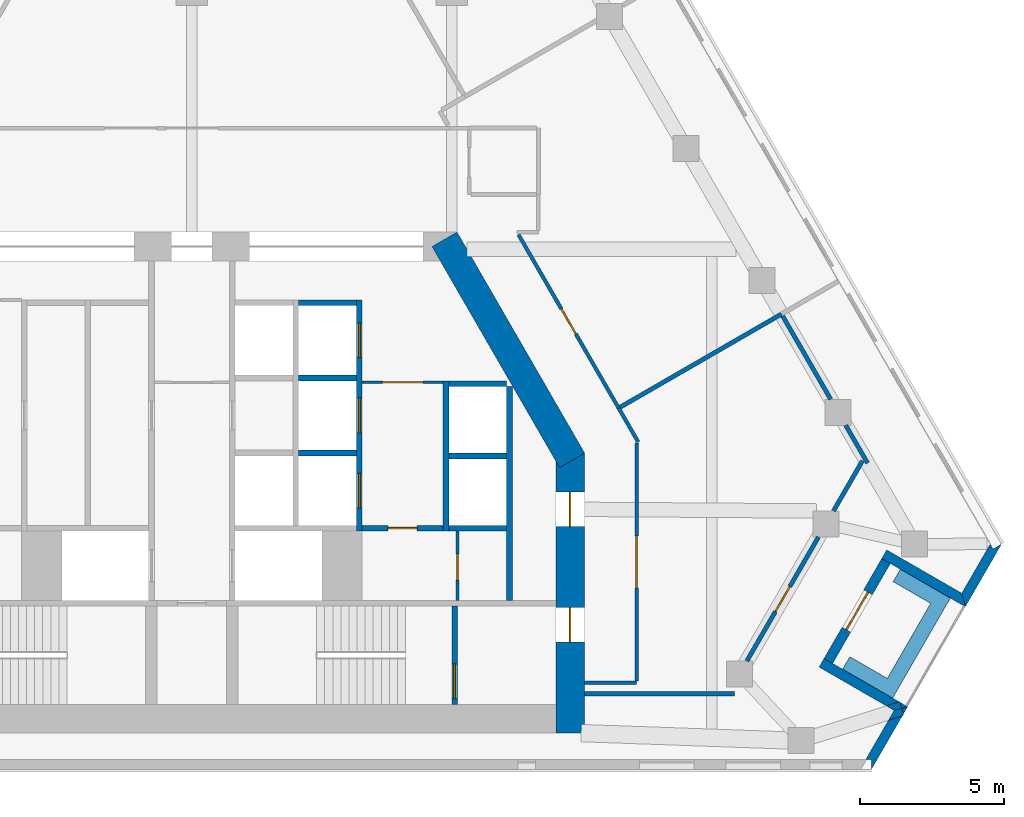
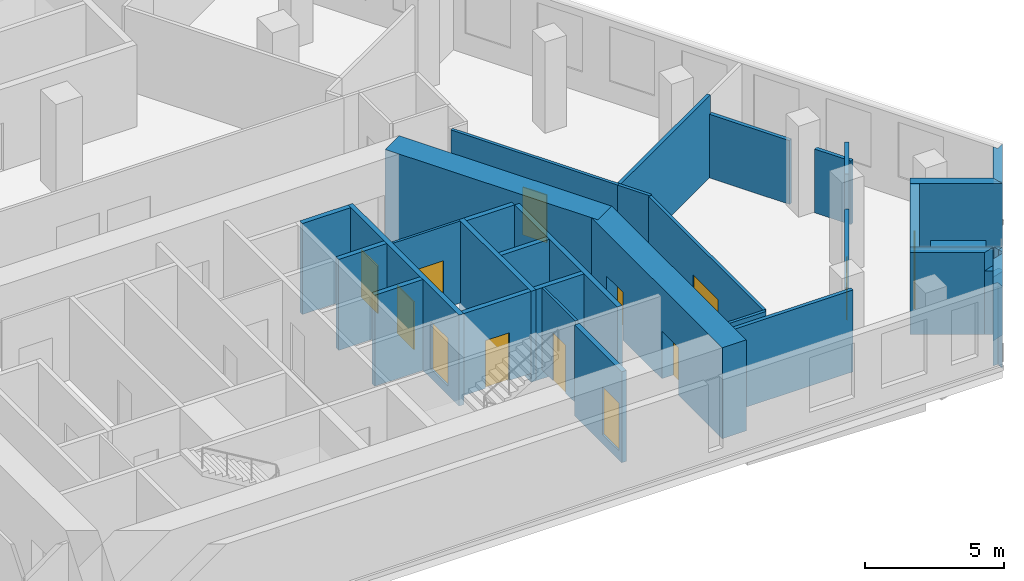
# One storey, part 6 of 9: 35 walls, 13 doors, 13 openings.
"""IFC4 building model written with IfcOpenShell, lengths in metres."""

from ifc_helpers import new_model, si_unit, direction, frame, frame_2d, origin, place, context, subcontext, project, spatial, polyline, rectangle, outline, extrude, material, layer, layer_set, type_object, element, fill, save


model = new_model("IFC4")

# Units and contexts
model_context = context("Model", 3, precision=1e-05, world=origin(), true_north=direction((0.0, 1.0)))
body_context = subcontext(model_context, "Body", "Model", "MODEL_VIEW")
ifc_project = project(units=[si_unit("LENGTHUNIT", "METRE"), si_unit("AREAUNIT", "SQUARE_METRE"), si_unit("VOLUMEUNIT", "CUBIC_METRE"), si_unit("PLANEANGLEUNIT", "RADIAN"), si_unit("MASSUNIT", "GRAM", prefix="KILO")], contexts=[model_context])

# Site, building, storey
site_placement = place(None, origin())
site = spatial("IfcSite", under=ifc_project, at=site_placement, CompositionType="ELEMENT")
building_placement = place(site_placement, origin())
building = spatial("IfcBuilding", under=site, at=building_placement, Name="Fogline Exchange Tower", CompositionType="ELEMENT")
storey_placement = place(building_placement, frame((0.0, 0.0, 190.10009765625)))
storey = spatial("IfcBuildingStorey", under=building, at=storey_placement, Name="L42", CompositionType="ELEMENT", Elevation=190.10009765625)

# Wall, opening, door
ifc_material_1 = material(Name="Blockwork partition", Category="masonry")
ifc_layer_1 = layer(ifc_material_1, 0.10009765625)
ifc_layer_set_1 = layer_set([ifc_layer_1], Name="CW10")
wall_type_1 = type_object("IfcWallType", Name="CW10", PredefinedType="PARTITIONING", material=ifc_layer_set_1)
wall_1_placement = place(storey_placement, frame((5.89990234375, 13.39990234375, 0.0), z_axis=(0.0, 0.0, 1.0), x_axis=(1.0, 0.0, 0.0)))
wall_1 = element("IfcWall", 1, at=wall_1_placement, inside=storey, type_object=wall_type_1, Name="Lift lobby partition", PredefinedType="PARTITIONING", context=body_context, shape_type="SweptSolid", body=[
    extrude(rectangle(XDim=2.800048828125, YDim=0.10009765625, at=frame_2d((1.39990234375, 0.0))), origin(), (0.0, 0.0, 1.0), 3.599853515625),
])
opening_1_placement = place(wall_1_placement, frame((0.699951171875, 0.0, 0.0)))
opening_1 = element("IfcOpeningElement", 2, at=opening_1_placement, cuts=wall_1, Name="Opening T13-C012", PredefinedType="OPENING", context=body_context, shape_type="SweptSolid", body=[
    extrude(rectangle(XDim=1.39990234375, YDim=2.10009765625, at=frame_2d((0.699951171875, 1.050048828125))), frame((0.0, 0.06005859375, 0.0), z_axis=(0.0, -1.0, 0.0), x_axis=(1.0, 0.0, 0.0)), (0.0, 0.0, 1.0), 0.1201171875),
])
ifc_material_2 = material(Name="Steel and timber fire door", Category="steel")
door_type_1 = type_object("IfcDoorType", Name="D-LB1", OperationType="DOUBLE_DOOR_SINGLE_SWING", PredefinedType="DOOR", material=ifc_material_2)
door_1_placement = place(opening_1_placement, frame((1.39990234375, 0.0, 0.0), z_axis=(0.0, 0.0, 1.0), x_axis=(-1.0, 0.0, 0.0)))
door_1 = element("IfcDoor", 3, at=door_1_placement, inside=storey, type_object=door_type_1, Name="Door to lift lobby", OperationType="DOUBLE_DOOR_SINGLE_SWING", OverallHeight=2.10009765625, OverallWidth=1.39990234375, PredefinedType="DOOR", context=body_context, shape_type="SweptSolid", body=[
    extrude(rectangle(XDim=1.39990234375, YDim=2.10009765625, at=frame_2d((0.699951171875, 1.050048828125))), frame((0.0, 0.02490234375, 0.0), z_axis=(0.0, -1.0, 0.0), x_axis=(1.0, 0.0, 0.0)), (0.0, 0.0, 1.0), 0.050048828125),
])
fill(opening_1, door_1)

wall_2_placement = place(storey_placement, frame((9.199951171875, 5.85009765625, 0.0), z_axis=(0.0, 0.0, 1.0), x_axis=(0.0, 1.0, 0.0)))
wall_2 = element("IfcWall", 4, at=wall_2_placement, inside=storey, type_object=wall_type_1, Name="WC partition", PredefinedType="PARTITIONING", context=body_context, shape_type="SweptSolid", body=[
    extrude(rectangle(XDim=2.39990234375, YDim=0.10009765625, at=frame_2d((1.199951171875, 0.0))), origin(), (0.0, 0.0, 1.0), 3.599853515625),
])
opening_2_placement = place(wall_2_placement, frame((0.699951171875, 0.0, 0.0)))
opening_2 = element("IfcOpeningElement", 5, at=opening_2_placement, cuts=wall_2, Name="Opening T13-C014", PredefinedType="OPENING", context=body_context, shape_type="SweptSolid", body=[
    extrude(rectangle(XDim=0.89990234375, YDim=2.10009765625, at=frame_2d((0.449951171875, 1.050048828125))), frame((0.0, 0.06005859375, 0.0), z_axis=(0.0, -1.0, 0.0), x_axis=(1.0, 0.0, 0.0)), (0.0, 0.0, 1.0), 0.1201171875),
])
door_type_2 = type_object("IfcDoorType", Name="D-CS1", OperationType="SINGLE_SWING_RIGHT", PredefinedType="DOOR", material=ifc_material_2)
door_2_placement = place(opening_2_placement, frame((0.89990234375, 0.0, 0.0), z_axis=(0.0, 0.0, 1.0), x_axis=(-1.0, 0.0, 0.0)))
door_2 = element("IfcDoor", 6, at=door_2_placement, inside=storey, type_object=door_type_2, Name="Door to Cleaner's Store", OperationType="SINGLE_SWING_RIGHT", OverallHeight=2.10009765625, OverallWidth=0.89990234375, PredefinedType="DOOR", context=body_context, shape_type="SweptSolid", body=[
    extrude(rectangle(XDim=0.89990234375, YDim=2.10009765625, at=frame_2d((0.449951171875, 1.050048828125))), frame((0.0, 0.02490234375, 0.0), z_axis=(0.0, -1.0, 0.0), x_axis=(1.0, 0.0, 0.0)), (0.0, 0.0, 1.0), 0.050048828125),
])
fill(opening_2, door_2)

# Wall
ifc_material_3 = material(Name="Concrete C40", Category="concrete")
ifc_layer_2 = layer(ifc_material_3, 0.199951171875)
ifc_layer_set_2 = layer_set([ifc_layer_2], Name="CW20")
wall_type_2 = type_object("IfcWallType", Name="CW20", PredefinedType="SOLIDWALL", material=ifc_layer_set_2)
wall_3_placement = place(storey_placement, frame((11.0, 5.85009765625, 0.0), z_axis=(0.0, 0.0, 1.0), x_axis=(0.0, 1.0, 0.0)))
element("IfcWall", 7, at=wall_3_placement, inside=storey, type_object=wall_type_2, Name="Service room wall", PredefinedType="SOLIDWALL", context=body_context, shape_type="SweptSolid", body=[
    extrude(rectangle(XDim=7.39990234375, YDim=0.199951171875, at=frame_2d((3.699951171875, 0.0))), origin(), (0.0, 0.0, 1.0), 3.599853515625),
])

# Wall, opening, door
wall_4_placement = place(storey_placement, frame((5.89990234375, 8.35009765625, 0.0), z_axis=(0.0, 0.0, 1.0), x_axis=(1.0, 0.0, 0.0)))
wall_4 = element("IfcWall", 8, at=wall_4_placement, inside=storey, type_object=wall_type_2, Name="WC wall", PredefinedType="SOLIDWALL", context=body_context, shape_type="SweptSolid", body=[
    extrude(rectangle(XDim=2.800048828125, YDim=0.199951171875, at=frame_2d((1.39990234375, 0.0))), origin(), (0.0, 0.0, 1.0), 3.599853515625),
])
opening_3_placement = place(wall_4_placement, frame((0.89990234375, 0.0, 0.0)))
opening_3 = element("IfcOpeningElement", 9, at=opening_3_placement, cuts=wall_4, Name="Opening T13-C013", PredefinedType="OPENING", context=body_context, shape_type="SweptSolid", body=[
    extrude(rectangle(XDim=1.0, YDim=2.10009765625, at=frame_2d((0.5, 1.050048828125))), frame((0.0, 0.10986328125, 0.0), z_axis=(0.0, -1.0, 0.0), x_axis=(1.0, 0.0, 0.0)), (0.0, 0.0, 1.0), 0.219970703125),
])
door_type_3 = type_object("IfcDoorType", Name="D-WC1", OperationType="SINGLE_SWING_LEFT", PredefinedType="DOOR", material=ifc_material_2)
door_3_placement = place(opening_3_placement, frame((1.0, 0.0, 0.0), z_axis=(0.0, 0.0, 1.0), x_axis=(-1.0, 0.0, 0.0)))
door_3 = element("IfcDoor", 10, at=door_3_placement, inside=storey, type_object=door_type_3, Name="Door to Women's WC", OperationType="SINGLE_SWING_LEFT", OverallHeight=2.10009765625, OverallWidth=1.0, PredefinedType="DOOR", context=body_context, shape_type="SweptSolid", body=[
    extrude(rectangle(XDim=1.0, YDim=2.10009765625, at=frame_2d((0.5, 1.050048828125))), frame((0.0, 0.02490234375, 0.0), z_axis=(0.0, -1.0, 0.0), x_axis=(1.0, 0.0, 0.0)), (0.0, 0.0, 1.0), 0.050048828125),
])
fill(opening_3, door_3)

ifc_layer_3 = layer(ifc_material_3, 0.199951171875)
ifc_layer_set_3 = layer_set([ifc_layer_3], Name="CW20R")
wall_type_3 = type_object("IfcWallType", Name="CW20R", PredefinedType="SOLIDWALL", material=ifc_layer_set_3)
wall_5_placement = place(storey_placement, frame((9.10009765625, 2.25, -0.400146484375), z_axis=(0.0, 0.0, 1.0), x_axis=(0.0, 1.0, 0.0)))
wall_5 = element("IfcWall", 11, at=wall_5_placement, inside=storey, type_object=wall_type_3, Name="Stair enclosure wall", PredefinedType="SOLIDWALL", context=body_context, shape_type="SweptSolid", body=[
    extrude(rectangle(XDim=3.39990234375, YDim=0.199951171875, at=frame_2d((1.699951171875, 0.0))), origin(), (0.0, 0.0, 1.0), 4.0),
])
opening_4_placement = place(wall_5_placement, frame((0.199951171875, 0.0, 0.39990234375)))
opening_4 = element("IfcOpeningElement", 12, at=opening_4_placement, cuts=wall_5, Name="Opening T13-C016", PredefinedType="OPENING", context=body_context, shape_type="SweptSolid", body=[
    extrude(rectangle(XDim=1.199951171875, YDim=2.10009765625, at=frame_2d((0.60009765625, 1.050048828125))), frame((0.0, 0.10986328125, 0.0), z_axis=(0.0, -1.0, 0.0), x_axis=(1.0, 0.0, 0.0)), (0.0, 0.0, 1.0), 0.219970703125),
])
door_type_4 = type_object("IfcDoorType", Name="D-ST1", OperationType="SINGLE_SWING_LEFT", PredefinedType="DOOR", material=ifc_material_2)
door_4_placement = place(opening_4_placement, origin())
door_4 = element("IfcDoor", 13, at=door_4_placement, inside=storey, type_object=door_type_4, Name="Stair door ST2", OperationType="SINGLE_SWING_LEFT", OverallHeight=2.10009765625, OverallWidth=1.199951171875, PredefinedType="DOOR", context=body_context, shape_type="SweptSolid", body=[
    extrude(rectangle(XDim=1.199951171875, YDim=2.10009765625, at=frame_2d((0.60009765625, 1.050048828125))), frame((0.0, 0.02490234375, 0.0), z_axis=(0.0, -1.0, 0.0), x_axis=(1.0, 0.0, 0.0)), (0.0, 0.0, 1.0), 0.050048828125),
])
fill(opening_4, door_4)

# Wall
ifc_layer_4 = layer(ifc_material_3, 0.199951171875)
ifc_layer_set_4 = layer_set([ifc_layer_4], Name="CW20S")
wall_type_4 = type_object("IfcWallType", Name="CW20S", PredefinedType="SOLIDWALL", material=ifc_layer_set_4)
wall_6_placement = place(storey_placement, frame((8.800048828125, 8.25, -0.400146484375), z_axis=(0.0, 0.0, 1.0), x_axis=(0.0, 1.0, 0.0)))
element("IfcWall", 14, at=wall_6_placement, inside=storey, type_object=wall_type_4, Name="Lift shaft wall", PredefinedType="SOLIDWALL", context=body_context, shape_type="SweptSolid", body=[
    extrude(rectangle(XDim=5.199951171875, YDim=0.199951171875, at=frame_2d((2.60009765625, 0.0))), origin(), (0.0, 0.0, 1.0), 4.0),
])

# Wall, openings, doors
wall_7_placement = place(storey_placement, frame((5.800048828125, 8.25, -0.400146484375), z_axis=(0.0, 0.0, 1.0), x_axis=(0.0, 1.0, 0.0)))
wall_7 = element("IfcWall", 15, at=wall_7_placement, inside=storey, type_object=wall_type_4, Name="Lift shaft wall", PredefinedType="SOLIDWALL", context=body_context, shape_type="SweptSolid", body=[
    extrude(rectangle(XDim=8.0, YDim=0.199951171875, at=frame_2d((4.0, 0.0))), origin(), (0.0, 0.0, 1.0), 4.0),
])
opening_5_placement = place(wall_7_placement, frame((0.800048828125, 0.0, 0.39990234375)))
opening_5 = element("IfcOpeningElement", 16, at=opening_5_placement, cuts=wall_7, Name="Opening T13-LD02", PredefinedType="OPENING", context=body_context, shape_type="SweptSolid", body=[
    extrude(rectangle(XDim=1.199951171875, YDim=2.10009765625, at=frame_2d((0.60009765625, 1.050048828125))), frame((0.0, 0.10986328125, 0.0), z_axis=(0.0, -1.0, 0.0), x_axis=(1.0, 0.0, 0.0)), (0.0, 0.0, 1.0), 0.219970703125),
])
opening_6_placement = place(wall_7_placement, frame((3.39990234375, 0.0, 0.39990234375)))
opening_6 = element("IfcOpeningElement", 17, at=opening_6_placement, cuts=wall_7, Name="Opening T13-LD03", PredefinedType="OPENING", context=body_context, shape_type="SweptSolid", body=[
    extrude(rectangle(XDim=1.199951171875, YDim=2.10009765625, at=frame_2d((0.60009765625, 1.050048828125))), frame((0.0, 0.10986328125, 0.0), z_axis=(0.0, -1.0, 0.0), x_axis=(1.0, 0.0, 0.0)), (0.0, 0.0, 1.0), 0.219970703125),
])
opening_7_placement = place(wall_7_placement, frame((6.0, 0.0, 0.39990234375)))
opening_7 = element("IfcOpeningElement", 18, at=opening_7_placement, cuts=wall_7, Name="Opening T13-LD04", PredefinedType="OPENING", context=body_context, shape_type="SweptSolid", body=[
    extrude(rectangle(XDim=1.199951171875, YDim=2.10009765625, at=frame_2d((0.60009765625, 1.050048828125))), frame((0.0, 0.10986328125, 0.0), z_axis=(0.0, -1.0, 0.0), x_axis=(1.0, 0.0, 0.0)), (0.0, 0.0, 1.0), 0.219970703125),
])
door_type_5 = type_object("IfcDoorType", Name="LD1", OperationType="SLIDING_TO_LEFT", PredefinedType="DOOR", material=ifc_material_2)
door_5_placement = place(opening_5_placement, origin())
door_5 = element("IfcDoor", 19, at=door_5_placement, inside=storey, type_object=door_type_5, Name="Landing door MR1", OperationType="SLIDING_TO_LEFT", OverallHeight=2.10009765625, OverallWidth=1.199951171875, PredefinedType="DOOR", context=body_context, shape_type="SweptSolid", body=[
    extrude(rectangle(XDim=1.199951171875, YDim=2.10009765625, at=frame_2d((0.60009765625, 1.050048828125))), frame((0.0, 0.02490234375, 0.0), z_axis=(0.0, -1.0, 0.0), x_axis=(1.0, 0.0, 0.0)), (0.0, 0.0, 1.0), 0.050048828125),
])
fill(opening_5, door_5)
door_6_placement = place(opening_6_placement, origin())
door_6 = element("IfcDoor", 20, at=door_6_placement, inside=storey, type_object=door_type_5, Name="Landing door MR2", OperationType="SLIDING_TO_LEFT", OverallHeight=2.10009765625, OverallWidth=1.199951171875, PredefinedType="DOOR", context=body_context, shape_type="SweptSolid", body=[
    extrude(rectangle(XDim=1.199951171875, YDim=2.10009765625, at=frame_2d((0.60009765625, 1.050048828125))), frame((0.0, 0.02490234375, 0.0), z_axis=(0.0, -1.0, 0.0), x_axis=(1.0, 0.0, 0.0)), (0.0, 0.0, 1.0), 0.050048828125),
])
fill(opening_6, door_6)
door_7_placement = place(opening_7_placement, origin())
door_7 = element("IfcDoor", 21, at=door_7_placement, inside=storey, type_object=door_type_5, Name="Landing door MR3", OperationType="SLIDING_TO_LEFT", OverallHeight=2.10009765625, OverallWidth=1.199951171875, PredefinedType="DOOR", context=body_context, shape_type="SweptSolid", body=[
    extrude(rectangle(XDim=1.199951171875, YDim=2.10009765625, at=frame_2d((0.60009765625, 1.050048828125))), frame((0.0, 0.02490234375, 0.0), z_axis=(0.0, -1.0, 0.0), x_axis=(1.0, 0.0, 0.0)), (0.0, 0.0, 1.0), 0.050048828125),
])
fill(opening_7, door_7)

# Walls
for number, where, z_axis, x_axis, name in (
    (22, (8.89990234375, 8.35009765625, -0.400146484375), (0.0, 0.0, 1.0), (1.0, 0.0, 0.0), "Lift shaft wall"),
    (23, (8.89990234375, 10.85009765625, -0.400146484375), (0.0, 0.0, 1.0), (1.0, 0.0, 0.0), "Lift shaft wall"),
    (24, (8.89990234375, 13.35009765625, -0.400146484375), (0.0, 0.0, 1.0), (1.0, 0.0, 0.0), "Lift shaft wall"),
    (25, (3.699951171875, 10.949951171875, -0.400146484375), (0.0, 0.0, 1.0), (1.0, 0.0, 0.0), "Lift shaft wall"),
    (26, (3.699951171875, 13.550048828125, -0.400146484375), (0.0, 0.0, 1.0), (1.0, 0.0, 0.0), "Lift shaft wall"),
    (27, (3.699951171875, 16.14990234375, -0.400146484375), (0.0, 0.0, 1.0), (1.0, 0.0, 0.0), "Lift shaft wall"),
):
    element("IfcWall", number, at=place(storey_placement, frame(where, z_axis=z_axis, x_axis=x_axis)), inside=storey, type_object=wall_type_4, Name=name, PredefinedType="SOLIDWALL", context=body_context, shape_type="SweptSolid", body=[
        extrude(rectangle(XDim=2.0, YDim=0.199951171875, at=frame_2d((1.0, 0.0))), origin(), (0.0, 0.0, 1.0), 4.0),
    ])
ifc_material_4 = material(Name="Brick masonry", Category="masonry")
ifc_layer_5 = layer(ifc_material_4, 0.340087890625)
ifc_layer_set_5 = layer_set([ifc_layer_5], Name="FW1")
wall_type_5 = type_object("IfcWallType", Name="FW1", PredefinedType="SOLIDWALL", material=ifc_layer_set_5)
wall_8_placement = place(storey_placement, origin())
element("IfcWall", 28, at=wall_8_placement, inside=storey, type_object=wall_type_5, Name="Brick wall L42 SE-c1", PredefinedType="SOLIDWALL", context=body_context, shape_type="SweptSolid", body=[
    extrude(outline(polyline([(24.598388671875, 1.846923828125), (24.1162109375, 1.694580078125), (24.31640625, 2.041015625), (24.577880859375, 2.111083984375), (24.63916015625, 1.917724609375), (24.598388671875, 1.846923828125)])), origin(), (0.0, 0.0, 1.0), 2.7998046875),
])
wall_9_placement = place(storey_placement, origin())
element("IfcWall", 29, at=wall_9_placement, inside=storey, type_object=wall_type_5, Name="Brick wall L42 SE-c1", PredefinedType="SOLIDWALL", context=body_context, shape_type="SweptSolid", body=[
    extrude(outline(polyline([(24.63916015625, 1.917724609375), (24.577880859375, 2.111083984375), (24.7822265625, 2.166015625), (24.782470703125, 2.165771484375), (24.63916015625, 1.917724609375)])), origin(), (0.0, 0.0, 1.0), 3.599853515625),
])
wall_10_placement = place(storey_placement, origin())
element("IfcWall", 30, at=wall_10_placement, inside=storey, type_object=wall_type_5, Name="Brick wall L42 SE-c1", PredefinedType="SOLIDWALL", context=body_context, shape_type="SweptSolid", body=[
    extrude(outline(polyline([(23.53125, -0.001220703125), (23.53076171875, -0.0009765625), (23.53076171875, 0.33935546875), (23.333984375, 0.33935546875), (24.1162109375, 1.694580078125), (24.598388671875, 1.846923828125), (23.53125, -0.001220703125)])), origin(), (0.0, 0.0, 1.0), 3.599853515625),
])
wall_11_placement = place(storey_placement, origin())
element("IfcWall", 31, at=wall_11_placement, inside=storey, type_object=wall_type_5, Name="Brick wall L42 SE-s1", PredefinedType="SOLIDWALL", context=body_context, shape_type="SweptSolid", body=[
    extrude(outline(polyline([(24.511474609375, 2.321533203125), (24.578369140625, 2.110107421875), (24.31689453125, 2.0400390625), (24.045654296875, 2.196533203125), (24.486328125, 2.3359375), (24.511474609375, 2.321533203125)])), origin(), (0.0, 0.0, 1.0), 2.7998046875),
])
wall_12_placement = place(storey_placement, origin())
element("IfcWall", 32, at=wall_12_placement, inside=storey, type_object=wall_type_5, Name="Brick wall L42 SE-s1", PredefinedType="SOLIDWALL", context=body_context, shape_type="SweptSolid", body=[
    extrude(outline(polyline([(21.888671875, 3.8359375), (22.18359375, 3.66552734375), (24.486328125, 2.3359375), (24.045654296875, 2.196533203125), (21.718017578125, 3.540283203125), (21.888671875, 3.8359375)])), origin(), (0.0, 0.0, 1.0), 3.599853515625),
])
wall_13_placement = place(storey_placement, origin())
element("IfcWall", 33, at=wall_13_placement, inside=storey, type_object=wall_type_5, Name="Brick wall L42 SE-s1", PredefinedType="SOLIDWALL", context=body_context, shape_type="SweptSolid", body=[
    extrude(outline(polyline([(24.782470703125, 2.1650390625), (24.782470703125, 2.164794921875), (24.578369140625, 2.110107421875), (24.511474609375, 2.321533203125), (24.782470703125, 2.1650390625)])), origin(), (0.0, 0.0, 1.0), 3.599853515625),
])

# Wall, opening, door
wall_14_placement = place(storey_placement, frame((22.035888671875, 3.75, 0.0), z_axis=(0.0, 0.0, 1.0), x_axis=(0.49999894854, 0.866026010844, 0.0)))
wall_14 = element("IfcWall", 34, at=wall_14_placement, inside=storey, type_object=wall_type_5, Name="Brick wall L42 SE-bk", PredefinedType="SOLIDWALL", context=body_context, shape_type="SweptSolid", body=[
    extrude(rectangle(XDim=4.0, YDim=0.340087890625, at=frame_2d((2.0, 0.0))), origin(), (0.0, 0.0, 1.0), 3.599853515625),
])
opening_8_placement = place(wall_14_placement, frame((1.25, 0.0, 0.0)))
opening_8 = element("IfcOpeningElement", 35, at=opening_8_placement, cuts=wall_14, Name="Opening T13-E081", PredefinedType="OPENING", context=body_context, shape_type="SweptSolid", body=[
    extrude(rectangle(XDim=1.5, YDim=2.39990234375, at=frame_2d((0.75, 1.199951171875))), frame((0.0, 0.18017578125, 0.0), z_axis=(0.0, -1.0, 0.0), x_axis=(1.0, 0.0, 0.0)), (0.0, 0.0, 1.0), 0.360107421875),
])
ifc_material_5 = material(Name="Aluminium and glass", Category="aluminium")
door_type_6 = type_object("IfcDoorType", Name="ED4", OperationType="SINGLE_SWING_LEFT", PredefinedType="DOOR", material=ifc_material_5)
door_8_placement = place(opening_8_placement, frame((1.5, 0.0, 0.0), z_axis=(0.0, 0.0, 1.0), x_axis=(-1.0, 0.0, 0.0)))
door_8 = element("IfcDoor", 36, at=door_8_placement, inside=storey, type_object=door_type_6, Name="Balcony door L42 SE", OperationType="DOUBLE_DOOR_SINGLE_SWING", OverallHeight=2.39990234375, OverallWidth=1.5, PredefinedType="DOOR", context=body_context, shape_type="SweptSolid", body=[
    extrude(rectangle(XDim=1.5, YDim=2.39990234375, at=frame_2d((0.75, 1.199951171875))), frame((0.0, 0.02490234375, 0.0), z_axis=(0.0, -1.0, 0.0), x_axis=(1.0, 0.0, 0.0)), (0.0, 0.0, 1.0), 0.050048828125),
])
fill(opening_8, door_8)

# Walls
wall_15_placement = place(storey_placement, origin())
element("IfcWall", 37, at=wall_15_placement, inside=storey, type_object=wall_type_5, Name="Brick wall L42 SE-s2", PredefinedType="SOLIDWALL", context=body_context, shape_type="SweptSolid", body=[
    extrude(outline(polyline([(26.781982421875, 5.628173828125), (24.182861328125, 7.128662109375), (23.887939453125, 7.298828125), (24.05859375, 7.594482421875), (26.657470703125, 6.093994140625), (26.7822265625, 5.62841796875), (26.781982421875, 5.628173828125)])), origin(), (0.0, 0.0, 1.0), 3.599853515625),
])
wall_16_placement = place(storey_placement, origin())
element("IfcWall", 38, at=wall_16_placement, inside=storey, type_object=wall_type_5, Name="Brick wall L42 SE-c2", PredefinedType="SOLIDWALL", context=body_context, shape_type="SweptSolid", body=[
    extrude(outline(polyline([(27.638671875, 7.79541015625), (27.737060546875, 7.625), (28.031982421875, 7.79541015625), (28.032470703125, 7.794921875), (26.78125, 5.6279296875), (26.781005859375, 5.6279296875), (26.65625, 6.09375), (27.638671875, 7.79541015625)])), origin(), (0.0, 0.0, 1.0), 3.599853515625),
])
ifc_material_6 = material(Name="Concrete C30", Category="concrete")
ifc_layer_6 = layer(ifc_material_6, 0.199951171875)
ifc_layer_set_6 = layer_set([ifc_layer_6], Name="PL1")
wall_type_6 = type_object("IfcWallType", Name="PL1", PredefinedType="USERDEFINED", material=ifc_layer_set_6)
wall_17_placement = place(storey_placement, origin())
element("IfcWall", 39, at=wall_17_placement, inside=storey, type_object=wall_type_6, Name="PLANTER balcony L42 SE", ObjectType="PLANTER", PredefinedType="USERDEFINED", context=body_context, shape_type="SweptSolid", body=[
    extrude(outline(polyline([(22.529541015625, 3.465087890625), (23.82861328125, 2.715087890625), (23.82861328125, 2.715087890625), (24.26171875, 2.465087890625), (26.01171875, 5.49609375), (26.26171875, 5.92919921875), (24.529541015625, 6.92919921875), (24.279541015625, 6.49609375), (25.57861328125, 5.74609375), (24.07861328125, 3.148193359375), (22.779541015625, 3.898193359375), (22.529541015625, 3.465087890625)])), origin(), (0.0, 0.0, 1.0), 1.099853515625),
])

# Wall, opening, door
ifc_material_7 = material(Name="Plasterboard corridor partition with mineral wool, 2 layers each side")
ifc_layer_7 = layer(ifc_material_7, 0.125)
ifc_layer_set_7 = layer_set([ifc_layer_7], Name="PW2")
wall_type_7 = type_object("IfcWallType", Name="PW2", PredefinedType="PARTITIONING", material=ifc_layer_set_7)
wall_18_placement = place(storey_placement, frame((11.3134765625, 18.505859375, 0.0), z_axis=(0.0, 0.0, 1.0), x_axis=(0.49999396906, -0.866028885721, 0.0)))
wall_18 = element("IfcWall", 40, at=wall_18_placement, inside=storey, type_object=wall_type_7, Name="wall-L42-W001", PredefinedType="PARTITIONING", context=body_context, shape_type="SweptSolid", body=[
    extrude(rectangle(XDim=6.92724609375, YDim=0.125, at=frame_2d((3.463623046875, 0.0))), origin(), (0.0, 0.0, 1.0), 3.599853515625),
])
opening_9_placement = place(wall_18_placement, frame((2.963623046875, 0.0, 0.0)))
opening_9 = element("IfcOpeningElement", 41, at=opening_9_placement, cuts=wall_18, Name="Opening T13-D001", PredefinedType="OPENING", context=body_context, shape_type="SweptSolid", body=[
    extrude(rectangle(XDim=1.0, YDim=2.10009765625, at=frame_2d((0.5, 1.050048828125))), frame((0.0, 0.072509765625, 0.0), z_axis=(0.0, -1.0, 0.0), x_axis=(1.0, 0.0, 0.0)), (0.0, 0.0, 1.0), 0.14501953125),
])
ifc_material_8 = material(Name="Fire-rated timber door leaf with steel frame", Category="steel")
door_type_7 = type_object("IfcDoorType", Name="D3", OperationType="SINGLE_SWING_LEFT", PredefinedType="DOOR", material=ifc_material_8)
door_9_placement = place(opening_9_placement, origin())
door_9 = element("IfcDoor", 42, at=door_9_placement, inside=storey, type_object=door_type_7, Name="door-L42-D001", OperationType="SINGLE_SWING_RIGHT", OverallHeight=2.10009765625, OverallWidth=1.0, PredefinedType="DOOR", context=body_context, shape_type="SweptSolid", body=[
    extrude(rectangle(XDim=1.0, YDim=2.10009765625, at=frame_2d((0.5, 1.050048828125))), frame((0.0, 0.02490234375, 0.0), z_axis=(0.0, -1.0, 0.0), x_axis=(1.0, 0.0, 0.0)), (0.0, 0.0, 1.0), 0.050048828125),
])
fill(opening_9, door_9)

# Wall
wall_19_placement = place(storey_placement, frame((14.777099609375, 12.506591796875, 0.0), z_axis=(0.0, 0.0, 1.0), x_axis=(0.500055336774, -0.865993452726, 0.0)))
element("IfcWall", 43, at=wall_19_placement, inside=storey, type_object=wall_type_7, Name="wall-L42-W002", PredefinedType="PARTITIONING", context=body_context, shape_type="SweptSolid", body=[
    extrude(rectangle(XDim=1.354248046875, YDim=0.125, at=frame_2d((0.67724609375, 0.0))), origin(), (0.0, 0.0, 1.0), 3.599853515625),
])

# Wall, opening, door
wall_20_placement = place(storey_placement, frame((15.39990234375, 11.302734375, 0.0), z_axis=(0.0, 0.0, 1.0), x_axis=(0.0, -1.0, 0.0)))
wall_20 = element("IfcWall", 44, at=wall_20_placement, inside=storey, type_object=wall_type_7, Name="wall-L42-W003", PredefinedType="PARTITIONING", context=body_context, shape_type="SweptSolid", body=[
    extrude(rectangle(XDim=8.240234375, YDim=0.125, at=frame_2d((4.1201171875, 0.0))), origin(), (0.0, 0.0, 1.0), 3.599853515625),
])
opening_10_placement = place(wall_20_placement, frame((3.22021484375, 0.0, 0.0)))
opening_10 = element("IfcOpeningElement", 45, at=opening_10_placement, cuts=wall_20, Name="Opening T13-D002", PredefinedType="OPENING", context=body_context, shape_type="SweptSolid", body=[
    extrude(rectangle(XDim=1.800048828125, YDim=2.10009765625, at=frame_2d((0.89990234375, 1.050048828125))), frame((0.0, 0.072509765625, 0.0), z_axis=(0.0, -1.0, 0.0), x_axis=(1.0, 0.0, 0.0)), (0.0, 0.0, 1.0), 0.14501953125),
])
ifc_material_9 = material(Name="Fire-rated timber door leaves with steel frame", Category="steel")
door_type_8 = type_object("IfcDoorType", Name="D4", OperationType="DOUBLE_DOOR_SINGLE_SWING", PredefinedType="DOOR", material=ifc_material_9)
door_10_placement = place(opening_10_placement, frame((1.800048828125, 0.0, 0.0), z_axis=(0.0, 0.0, 1.0), x_axis=(-1.0, 0.0, 0.0)))
door_10 = element("IfcDoor", 46, at=door_10_placement, inside=storey, type_object=door_type_8, Name="door-L42-D002", OperationType="DOUBLE_DOOR_SINGLE_SWING", OverallHeight=2.10009765625, OverallWidth=1.800048828125, PredefinedType="DOOR", context=body_context, shape_type="SweptSolid", body=[
    extrude(rectangle(XDim=1.800048828125, YDim=2.10009765625, at=frame_2d((0.89990234375, 1.050048828125))), frame((0.0, 0.02490234375, 0.0), z_axis=(0.0, -1.0, 0.0), x_axis=(1.0, 0.0, 0.0)), (0.0, 0.0, 1.0), 0.050048828125),
])
fill(opening_10, door_10)

# Walls
wall_21_placement = place(storey_placement, frame((15.39990234375, 3.0, 0.0), z_axis=(0.0, 0.0, 1.0), x_axis=(-1.0, 0.0, 0.0)))
element("IfcWall", 47, at=wall_21_placement, inside=storey, type_object=wall_type_7, Name="wall-L42-W004", PredefinedType="PARTITIONING", context=body_context, shape_type="SweptSolid", body=[
    extrude(rectangle(XDim=1.7998046875, YDim=0.125, at=frame_2d((0.89990234375, 0.0))), origin(), (0.0, 0.0, 1.0), 3.599853515625),
])
ifc_material_10 = material(Name="Plasterboard demising partition with mineral wool and acoustic board")
ifc_layer_8 = layer(ifc_material_10, 0.14990234375)
ifc_layer_set_8 = layer_set([ifc_layer_8], Name="PW3")
wall_type_8 = type_object("IfcWallType", Name="PW3", PredefinedType="PARTITIONING", material=ifc_layer_set_8)
wall_22_placement = place(storey_placement, frame((20.414794921875, 15.761474609375, 0.0), z_axis=(0.0, 0.0, 1.0), x_axis=(-0.866025414547, -0.499999981359, 0.0)))
element("IfcWall", 48, at=wall_22_placement, inside=storey, type_object=wall_type_8, Name="wall-L42-W026", PredefinedType="PARTITIONING", context=body_context, shape_type="SweptSolid", body=[
    extrude(rectangle(XDim=6.447265625, YDim=0.14990234375, at=frame_2d((3.2236328125, 0.0))), origin(), (0.0, 0.0, 1.0), 3.599853515625),
])
wall_23_placement = place(storey_placement, frame((13.60009765625, 2.612548828125, 0.0), z_axis=(0.0, 0.0, 1.0), x_axis=(1.0, 0.0, 0.0)))
element("IfcWall", 49, at=wall_23_placement, inside=storey, type_object=wall_type_8, Name="wall-L42-W042", PredefinedType="PARTITIONING", context=body_context, shape_type="SweptSolid", body=[
    extrude(rectangle(XDim=5.18115234375, YDim=0.14990234375, at=frame_2d((2.590576171875, 0.0))), origin(), (0.0, 0.0, 1.0), 3.599853515625),
])

# Wall, opening, door
wall_24_placement = place(storey_placement, frame((19.215087890625, 3.7490234375, 0.0), z_axis=(0.0, 0.0, 1.0), x_axis=(0.500013557629, 0.866017576142, 0.0)))
wall_24 = element("IfcWall", 50, at=wall_24_placement, inside=storey, type_object=wall_type_8, Name="wall-L42-W043", PredefinedType="PARTITIONING", context=body_context, shape_type="SweptSolid", body=[
    extrude(rectangle(XDim=4.960693359375, YDim=0.14990234375, at=frame_2d((2.48046875, 0.0))), origin(), (0.0, 0.0, 1.0), 2.7998046875),
])
opening_11_placement = place(wall_24_placement, frame((1.98046875, 0.0, 0.0)))
opening_11 = element("IfcOpeningElement", 51, at=opening_11_placement, cuts=wall_24, Name="Opening T13-D013", PredefinedType="OPENING", context=body_context, shape_type="SweptSolid", body=[
    extrude(rectangle(XDim=1.0, YDim=2.10009765625, at=frame_2d((0.5, 1.050048828125))), frame((0.0, 0.0849609375, 0.0), z_axis=(0.0, -1.0, 0.0), x_axis=(1.0, 0.0, 0.0)), (0.0, 0.0, 1.0), 0.169921875),
])
door_11_placement = place(opening_11_placement, frame((1.0, 0.0, 0.0), z_axis=(0.0, 0.0, 1.0), x_axis=(-1.0, 0.0, 0.0)))
door_11 = element("IfcDoor", 52, at=door_11_placement, inside=storey, type_object=door_type_7, Name="door-L42-D013", OperationType="SINGLE_SWING_LEFT", OverallHeight=2.10009765625, OverallWidth=1.0, PredefinedType="DOOR", context=body_context, shape_type="SweptSolid", body=[
    extrude(rectangle(XDim=1.0, YDim=2.10009765625, at=frame_2d((0.5, 1.050048828125))), frame((0.0, 0.02490234375, 0.0), z_axis=(0.0, -1.0, 0.0), x_axis=(1.0, 0.0, 0.0)), (0.0, 0.0, 1.0), 0.050048828125),
])
fill(opening_11, door_11)

# Walls
wall_25_placement = place(storey_placement, frame((22.215087890625, 8.9453125, 0.0), z_axis=(0.0, 0.0, 1.0), x_axis=(0.499950878181, 0.866053762422, 0.0)))
element("IfcWall", 53, at=wall_25_placement, inside=storey, type_object=wall_type_8, Name="wall-L42-W044", PredefinedType="PARTITIONING", context=body_context, shape_type="SweptSolid", body=[
    extrude(rectangle(XDim=2.004638671875, YDim=0.14990234375, at=frame_2d((1.00244140625, 0.0))), origin(), (0.0, 0.0, 1.0), 3.599853515625),
])
wall_26_placement = place(storey_placement, frame((23.393798828125, 10.6015625, 0.0), z_axis=(0.0, 0.0, 1.0), x_axis=(-0.499960093054, 0.866048442845, 0.0)))
element("IfcWall", 54, at=wall_26_placement, inside=storey, type_object=wall_type_8, Name="wall-L42-W045", PredefinedType="PARTITIONING", context=body_context, shape_type="SweptSolid", body=[
    extrude(rectangle(XDim=1.51171875, YDim=0.14990234375, at=frame_2d((0.755859375, 0.0))), origin(), (0.0, 0.0, 1.0), 2.7998046875),
])
wall_27_placement = place(storey_placement, frame((22.118408203125, 12.810791015625, 0.0), z_axis=(0.0, 0.0, 1.0), x_axis=(-0.500039553057, 0.866002566612, 0.0)))
element("IfcWall", 55, at=wall_27_placement, inside=storey, type_object=wall_type_8, Name="wall-L42-W046", PredefinedType="PARTITIONING", context=body_context, shape_type="SweptSolid", body=[
    extrude(rectangle(XDim=3.332275390625, YDim=0.14990234375, at=frame_2d((1.666015625, 0.0))), origin(), (0.0, 0.0, 1.0), 2.7998046875),
])

# Wall, openings, doors
ifc_material_11 = material(Name="Concrete C60", Category="concrete")
ifc_layer_9 = layer(ifc_material_11, 1.0)
ifc_layer_set_9 = layer_set([ifc_layer_9], Name="SW03")
wall_type_9 = type_object("IfcWallType", Name="SW03", PredefinedType="SHEAR", material=ifc_layer_set_9)
wall_28_placement = place(storey_placement, frame((13.10009765625, 1.25, 0.0), z_axis=(0.0, 0.0, 1.0), x_axis=(0.0, 1.0, 0.0)))
wall_28 = element("IfcWall", 56, at=wall_28_placement, inside=storey, type_object=wall_type_9, Name="L42-W902", PredefinedType="SHEAR", context=body_context, shape_type="SweptSolid", body=[
    extrude(rectangle(XDim=9.6953125, YDim=1.0, at=frame_2d((4.84765625, 0.0))), origin(), (0.0, 0.0, 1.0), 4.0),
])
opening_12_placement = place(wall_28_placement, frame((3.14990234375, 0.0, 0.0)))
opening_12 = element("IfcOpeningElement", 57, at=opening_12_placement, cuts=wall_28, Name="Opening T13-C015", PredefinedType="OPENING", context=body_context, shape_type="SweptSolid", body=[
    extrude(rectangle(XDim=1.199951171875, YDim=2.10009765625, at=frame_2d((0.60009765625, 1.050048828125))), frame((0.0, 0.510009765625, 0.0), z_axis=(0.0, -1.0, 0.0), x_axis=(1.0, 0.0, 0.0)), (0.0, 0.0, 1.0), 1.02001953125),
])
opening_13_placement = place(wall_28_placement, frame((7.14990234375, 0.0, 0.0)))
opening_13 = element("IfcOpeningElement", 58, at=opening_13_placement, cuts=wall_28, Name="Opening T13-C017", PredefinedType="OPENING", context=body_context, shape_type="SweptSolid", body=[
    extrude(rectangle(XDim=1.199951171875, YDim=2.10009765625, at=frame_2d((0.60009765625, 1.050048828125))), frame((0.0, 0.510009765625, 0.0), z_axis=(0.0, -1.0, 0.0), x_axis=(1.0, 0.0, 0.0)), (0.0, 0.0, 1.0), 1.02001953125),
])
door_type_9 = type_object("IfcDoorType", Name="D-FR1", OperationType="SINGLE_SWING_RIGHT", PredefinedType="DOOR", material=ifc_material_2)
door_12_placement = place(opening_12_placement, origin())
door_12 = element("IfcDoor", 59, at=door_12_placement, inside=storey, type_object=door_type_9, Name="Front room door ST2", OperationType="SINGLE_SWING_RIGHT", OverallHeight=2.10009765625, OverallWidth=1.199951171875, PredefinedType="DOOR", context=body_context, shape_type="SweptSolid", body=[
    extrude(rectangle(XDim=1.199951171875, YDim=2.10009765625, at=frame_2d((0.60009765625, 1.050048828125))), frame((0.0, 0.02490234375, 0.0), z_axis=(0.0, -1.0, 0.0), x_axis=(1.0, 0.0, 0.0)), (0.0, 0.0, 1.0), 0.050048828125),
])
fill(opening_12, door_12)
door_type_10 = type_object("IfcDoorType", Name="D-SV1", OperationType="SINGLE_SWING_LEFT", PredefinedType="DOOR", material=ifc_material_2)
door_13_placement = place(opening_13_placement, origin())
door_13 = element("IfcDoor", 60, at=door_13_placement, inside=storey, type_object=door_type_10, Name="Service door E", OperationType="SINGLE_SWING_RIGHT", OverallHeight=2.10009765625, OverallWidth=1.199951171875, PredefinedType="DOOR", context=body_context, shape_type="SweptSolid", body=[
    extrude(rectangle(XDim=1.199951171875, YDim=2.10009765625, at=frame_2d((0.60009765625, 1.050048828125))), frame((0.0, 0.02490234375, 0.0), z_axis=(0.0, -1.0, 0.0), x_axis=(1.0, 0.0, 0.0)), (0.0, 0.0, 1.0), 0.050048828125),
])
fill(opening_13, door_13)

# Wall
wall_29_placement = place(storey_placement, frame((13.1669921875, 10.6953125, 0.0), z_axis=(0.0, 0.0, 1.0), x_axis=(-0.499995021168, 0.866028278295, 0.0)))
element("IfcWall", 61, at=wall_29_placement, inside=storey, type_object=wall_type_9, Name="L42-W903", PredefinedType="SHEAR", context=body_context, shape_type="SweptSolid", body=[
    extrude(rectangle(XDim=8.8388671875, YDim=1.0, at=frame_2d((4.41943359375, 0.0))), origin(), (0.0, 0.0, 1.0), 4.0),
])

save(model, "model.ifc")
